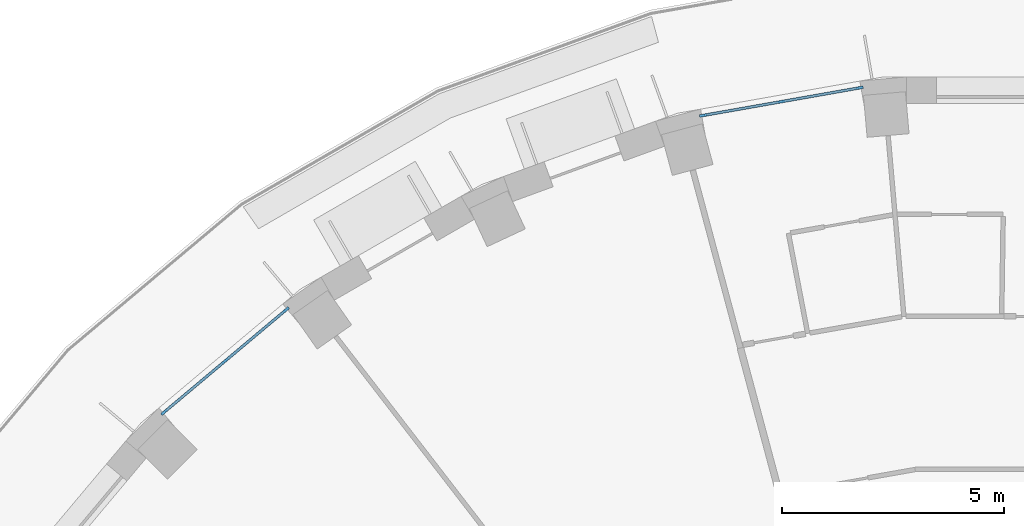
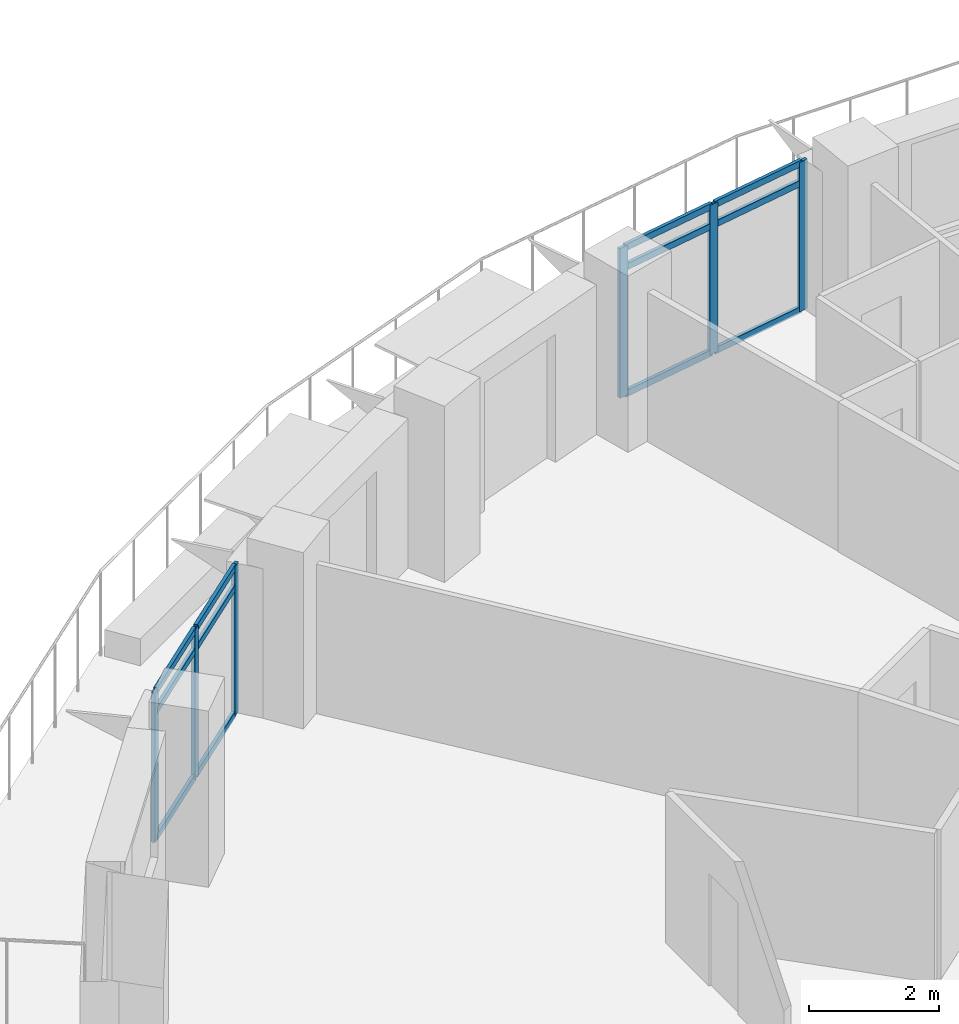
# One storey, part 2 of 14: 18 members, 2 elements without a shape of their own.
"""IFC4 building model written with IfcOpenShell, lengths in metres."""

from ifc_helpers import new_model, si_unit, direction, frame, origin, origin_2d, place, context, subcontext, project, spatial, rectangle, extrude, material, layer, layer_set, material_profile, profile_set, type_object, element, aggregate, save


model = new_model("IFC4")

# Units and contexts
model_context = context("Model", 3, precision=1e-05, world=origin(), true_north=direction((0.0, 1.0)))
body_context = subcontext(model_context, "Body", "Model", "MODEL_VIEW")
ifc_project = project(units=[si_unit("LENGTHUNIT", "METRE"), si_unit("AREAUNIT", "SQUARE_METRE"), si_unit("VOLUMEUNIT", "CUBIC_METRE"), si_unit("PLANEANGLEUNIT", "RADIAN"), si_unit("MASSUNIT", "GRAM", prefix="KILO")], contexts=[model_context])

# Site, building, storey
site_placement = place(None, origin())
site = spatial("IfcSite", under=ifc_project, at=site_placement, CompositionType="ELEMENT")
building_placement = place(site_placement, origin())
building = spatial("IfcBuilding", under=site, at=building_placement, Name="Saqina Gate Tower", CompositionType="ELEMENT")
storey_placement = place(building_placement, frame((0.0, 0.0, 91.89990234375)))
storey = spatial("IfcBuildingStorey", under=building, at=storey_placement, Name="L25", CompositionType="ELEMENT", Elevation=91.89990234375)

# Curtain wall, members
ifc_material_1 = material(Name="Aluminium glazing", Category="aluminium")
ifc_layer = layer(ifc_material_1, 0.159912109375)
ifc_layer_set = layer_set([ifc_layer], Name="CWT-4")
curtain_wall_type = type_object("IfcCurtainWallType", Name="CWT-4", PredefinedType="NOTDEFINED", material=ifc_layer_set)
curtain_wall_1_placement = place(storey_placement, origin())
curtain_wall_1 = element("IfcCurtainWall", 1, at=curtain_wall_1_placement, inside=storey, type_object=curtain_wall_type, Name="Terrace lounge glazing facet 10", PredefinedType="NOTDEFINED")
ifc_material_2 = material(Name="Aluminium", Category="aluminium")
ifc_material_profile_1 = material_profile(ifc_material_2, rectangle(XDim=0.06005859375, YDim=0.159912109375, at=origin_2d()), Name="Aluminium 60x160")
ifc_profile_set_1 = profile_set([ifc_material_profile_1], Name="Aluminium")
member_type_1 = type_object("IfcMemberType", Name="CWT-4M", PredefinedType="MULLION", material=ifc_profile_set_1)
member_1_placement = place(storey_placement, frame((-2.8779296875, 26.65234375, 0.0), z_axis=(0.0, 0.0, 1.0), x_axis=(0.17363832834, -0.984809489664, 0.0)))
member_1 = element("IfcMember", 2, at=member_1_placement, type_object=member_type_1, Name="CW4-10 mullion 1", PredefinedType="MULLION", context=body_context, shape_type="SweptSolid", body=[
    extrude(rectangle(XDim=0.06005859375, YDim=0.159912109375, at=origin_2d()), origin(), (0.0, 0.0, 1.0), 2.800048828125),
])
member_2_placement = place(storey_placement, frame((-4.64453125, 26.3408203125, 0.0), z_axis=(0.0, 0.0, 1.0), x_axis=(0.17363832834, -0.984809489664, 0.0)))
member_2 = element("IfcMember", 3, at=member_2_placement, type_object=member_type_1, Name="CW4-10 mullion 2", PredefinedType="MULLION", context=body_context, shape_type="SweptSolid", body=[
    extrude(rectangle(XDim=0.06005859375, YDim=0.159912109375, at=origin_2d()), origin(), (0.0, 0.0, 1.0), 2.800048828125),
])
member_3_placement = place(storey_placement, frame((-6.411376953125, 26.029296875, 0.0), z_axis=(0.0, 0.0, 1.0), x_axis=(0.17363832834, -0.984809489664, 0.0)))
member_3 = element("IfcMember", 4, at=member_3_placement, type_object=member_type_1, Name="CW4-10 mullion 3", PredefinedType="MULLION", context=body_context, shape_type="SweptSolid", body=[
    extrude(rectangle(XDim=0.06005859375, YDim=0.159912109375, at=origin_2d()), origin(), (0.0, 0.0, 1.0), 2.800048828125),
])

curtain_wall_2_placement = place(storey_placement, origin())
curtain_wall_2 = element("IfcCurtainWall", 5, at=curtain_wall_2_placement, inside=storey, type_object=curtain_wall_type, Name="Terrace lounge glazing facet 13", PredefinedType="NOTDEFINED")
member_4_placement = place(storey_placement, frame((-15.818603515625, 21.642822265625, 0.0), z_axis=(0.0, 0.0, 1.0), x_axis=(0.642790825553, -0.766041744675, 0.0)))
member_4 = element("IfcMember", 6, at=member_4_placement, type_object=member_type_1, Name="CW4-13 mullion 1", PredefinedType="MULLION", context=body_context, shape_type="SweptSolid", body=[
    extrude(rectangle(XDim=0.06005859375, YDim=0.159912109375, at=origin_2d()), origin(), (0.0, 0.0, 1.0), 2.800048828125),
])
member_5_placement = place(storey_placement, frame((-17.19287109375, 20.489501953125, 0.0), z_axis=(0.0, 0.0, 1.0), x_axis=(0.642790825553, -0.766041744675, 0.0)))
member_5 = element("IfcMember", 7, at=member_5_placement, type_object=member_type_1, Name="CW4-13 mullion 2", PredefinedType="MULLION", context=body_context, shape_type="SweptSolid", body=[
    extrude(rectangle(XDim=0.06005859375, YDim=0.159912109375, at=origin_2d()), origin(), (0.0, 0.0, 1.0), 2.800048828125),
])
member_6_placement = place(storey_placement, frame((-18.567138671875, 19.33642578125, 0.0), z_axis=(0.0, 0.0, 1.0), x_axis=(0.642790825553, -0.766041744675, 0.0)))
member_6 = element("IfcMember", 8, at=member_6_placement, type_object=member_type_1, Name="CW4-13 mullion 3", PredefinedType="MULLION", context=body_context, shape_type="SweptSolid", body=[
    extrude(rectangle(XDim=0.06005859375, YDim=0.159912109375, at=origin_2d()), origin(), (0.0, 0.0, 1.0), 2.800048828125),
])

# Member
ifc_material_3 = material(Name="Aluminium", Category="aluminium")
ifc_material_profile_2 = material_profile(ifc_material_3, rectangle(XDim=0.06005859375, YDim=0.1201171875, at=origin_2d()), Name="Aluminium 60x120")
ifc_profile_set_2 = profile_set([ifc_material_profile_2], Name="Aluminium")
member_type_2 = type_object("IfcMemberType", Name="CWT-4T", PredefinedType="USERDEFINED", material=ifc_profile_set_2)
member_7_placement = place(storey_placement, frame((-2.907470703125, 26.647216796875, 0.030029296875), z_axis=(-0.98481331257, -0.173616644895, 0.0), x_axis=(0.173616644895, -0.98481331257, 0.0)))
member_7 = element("IfcMember", 9, at=member_7_placement, type_object=member_type_2, Name="CW4-10 transom 1.1", ObjectType="TRANSOM", PredefinedType="USERDEFINED", context=body_context, shape_type="SweptSolid", body=[
    extrude(rectangle(XDim=0.06005859375, YDim=0.1201171875, at=origin_2d()), origin(), (0.0, 0.0, 1.0), 1.73388671875),
])

member_8_placement = place(storey_placement, frame((-2.907470703125, 26.647216796875, 2.400146484375), z_axis=(-0.98481331257, -0.173616644895, 0.0), x_axis=(0.173616644895, -0.98481331257, 0.0)))
member_8 = element("IfcMember", 10, at=member_8_placement, type_object=member_type_2, Name="CW4-10 transom 1.2", ObjectType="TRANSOM", PredefinedType="USERDEFINED", context=body_context, shape_type="SweptSolid", body=[
    extrude(rectangle(XDim=0.06005859375, YDim=0.1201171875, at=origin_2d()), origin(), (0.0, 0.0, 1.0), 1.73388671875),
])

member_9_placement = place(storey_placement, frame((-2.907470703125, 26.647216796875, 2.77001953125), z_axis=(-0.98481331257, -0.173616644895, 0.0), x_axis=(0.173616644895, -0.98481331257, 0.0)))
member_9 = element("IfcMember", 11, at=member_9_placement, type_object=member_type_2, Name="CW4-10 transom 1.3", ObjectType="TRANSOM", PredefinedType="USERDEFINED", context=body_context, shape_type="SweptSolid", body=[
    extrude(rectangle(XDim=0.06005859375, YDim=0.1201171875, at=origin_2d()), origin(), (0.0, 0.0, 1.0), 1.73388671875),
])

member_10_placement = place(storey_placement, frame((-4.674072265625, 26.335693359375, 0.030029296875), z_axis=(-0.98481331257, -0.173616644895, 0.0), x_axis=(0.173616644895, -0.98481331257, 0.0)))
member_10 = element("IfcMember", 12, at=member_10_placement, type_object=member_type_2, Name="CW4-10 transom 2.1", ObjectType="TRANSOM", PredefinedType="USERDEFINED", context=body_context, shape_type="SweptSolid", body=[
    extrude(rectangle(XDim=0.06005859375, YDim=0.1201171875, at=origin_2d()), origin(), (0.0, 0.0, 1.0), 1.73388671875),
])

member_11_placement = place(storey_placement, frame((-4.674072265625, 26.335693359375, 2.400146484375), z_axis=(-0.98481331257, -0.173616644895, 0.0), x_axis=(0.173616644895, -0.98481331257, 0.0)))
member_11 = element("IfcMember", 13, at=member_11_placement, type_object=member_type_2, Name="CW4-10 transom 2.2", ObjectType="TRANSOM", PredefinedType="USERDEFINED", context=body_context, shape_type="SweptSolid", body=[
    extrude(rectangle(XDim=0.06005859375, YDim=0.1201171875, at=origin_2d()), origin(), (0.0, 0.0, 1.0), 1.73388671875),
])

member_12_placement = place(storey_placement, frame((-4.674072265625, 26.335693359375, 2.77001953125), z_axis=(-0.98481331257, -0.173616644895, 0.0), x_axis=(0.173616644895, -0.98481331257, 0.0)))
member_12 = element("IfcMember", 14, at=member_12_placement, type_object=member_type_2, Name="CW4-10 transom 2.3", ObjectType="TRANSOM", PredefinedType="USERDEFINED", context=body_context, shape_type="SweptSolid", body=[
    extrude(rectangle(XDim=0.06005859375, YDim=0.1201171875, at=origin_2d()), origin(), (0.0, 0.0, 1.0), 1.73388671875),
])

aggregate(curtain_wall_1, [member_1, member_2, member_3, member_7, member_8, member_9, member_10, member_11, member_12])

member_13_placement = place(storey_placement, frame((-15.841552734375, 21.62353515625, 0.030029296875), z_axis=(-0.766012629291, -0.642825522025, 0.0), x_axis=(0.642825522025, -0.766012629291, 0.0)))
member_13 = element("IfcMember", 15, at=member_13_placement, type_object=member_type_2, Name="CW4-13 transom 1.1", ObjectType="TRANSOM", PredefinedType="USERDEFINED", context=body_context, shape_type="SweptSolid", body=[
    extrude(rectangle(XDim=0.06005859375, YDim=0.1201171875, at=origin_2d()), origin(), (0.0, 0.0, 1.0), 1.734130859375),
])

member_14_placement = place(storey_placement, frame((-15.841552734375, 21.62353515625, 2.400146484375), z_axis=(-0.766012629291, -0.642825522025, 0.0), x_axis=(0.642825522025, -0.766012629291, 0.0)))
member_14 = element("IfcMember", 16, at=member_14_placement, type_object=member_type_2, Name="CW4-13 transom 1.2", ObjectType="TRANSOM", PredefinedType="USERDEFINED", context=body_context, shape_type="SweptSolid", body=[
    extrude(rectangle(XDim=0.06005859375, YDim=0.1201171875, at=origin_2d()), origin(), (0.0, 0.0, 1.0), 1.734130859375),
])

member_15_placement = place(storey_placement, frame((-15.841552734375, 21.62353515625, 2.77001953125), z_axis=(-0.766012629291, -0.642825522025, 0.0), x_axis=(0.642825522025, -0.766012629291, 0.0)))
member_15 = element("IfcMember", 17, at=member_15_placement, type_object=member_type_2, Name="CW4-13 transom 1.3", ObjectType="TRANSOM", PredefinedType="USERDEFINED", context=body_context, shape_type="SweptSolid", body=[
    extrude(rectangle(XDim=0.06005859375, YDim=0.1201171875, at=origin_2d()), origin(), (0.0, 0.0, 1.0), 1.734130859375),
])

member_16_placement = place(storey_placement, frame((-17.2158203125, 20.47021484375, 0.030029296875), z_axis=(-0.766023779865, -0.64281223439, 0.0), x_axis=(0.64281223439, -0.766023779865, 0.0)))
member_16 = element("IfcMember", 18, at=member_16_placement, type_object=member_type_2, Name="CW4-13 transom 2.1", ObjectType="TRANSOM", PredefinedType="USERDEFINED", context=body_context, shape_type="SweptSolid", body=[
    extrude(rectangle(XDim=0.06005859375, YDim=0.1201171875, at=origin_2d()), origin(), (0.0, 0.0, 1.0), 1.73388671875),
])

member_17_placement = place(storey_placement, frame((-17.2158203125, 20.47021484375, 2.400146484375), z_axis=(-0.766023779865, -0.64281223439, 0.0), x_axis=(0.64281223439, -0.766023779865, 0.0)))
member_17 = element("IfcMember", 19, at=member_17_placement, type_object=member_type_2, Name="CW4-13 transom 2.2", ObjectType="TRANSOM", PredefinedType="USERDEFINED", context=body_context, shape_type="SweptSolid", body=[
    extrude(rectangle(XDim=0.06005859375, YDim=0.1201171875, at=origin_2d()), origin(), (0.0, 0.0, 1.0), 1.73388671875),
])

member_18_placement = place(storey_placement, frame((-17.2158203125, 20.47021484375, 2.77001953125), z_axis=(-0.766023779865, -0.64281223439, 0.0), x_axis=(0.64281223439, -0.766023779865, 0.0)))
member_18 = element("IfcMember", 20, at=member_18_placement, type_object=member_type_2, Name="CW4-13 transom 2.3", ObjectType="TRANSOM", PredefinedType="USERDEFINED", context=body_context, shape_type="SweptSolid", body=[
    extrude(rectangle(XDim=0.06005859375, YDim=0.1201171875, at=origin_2d()), origin(), (0.0, 0.0, 1.0), 1.73388671875),
])

aggregate(curtain_wall_2, [member_4, member_5, member_6, member_13, member_14, member_15, member_16, member_17, member_18])

save(model, "model.ifc")
